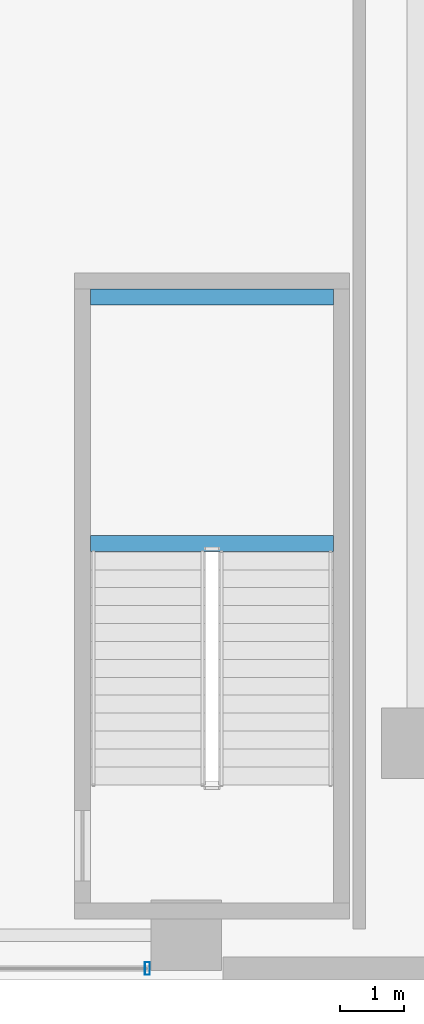
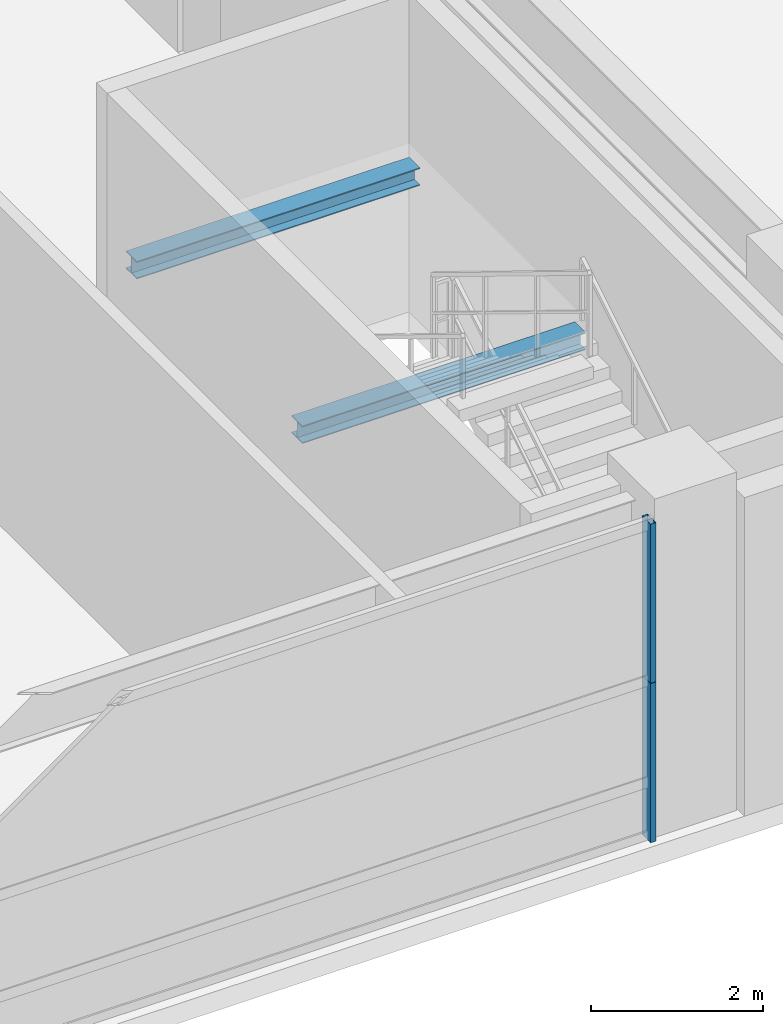
# One storey, part 15 of 39: 2 beams, 2 members, 1 element without a shape of its own.
"""IFC4 building model written with IfcOpenShell, lengths in metres."""

from ifc_helpers import new_model, si_unit, direction, frame, origin, origin_2d, place, context, subcontext, project, spatial, hollow_rectangle, i_section, extrude, source, transform, mapped, material, layer, layer_set, material_profile, profile_set, type_object, element, aggregate, save


model = new_model("IFC4")

# Units and contexts
model_context = context("Model", 3, precision=1e-05, world=origin(), true_north=direction((0.0, 1.0)))
body_context = subcontext(model_context, "Body", "Model", "MODEL_VIEW")
ifc_project = project(units=[si_unit("LENGTHUNIT", "METRE"), si_unit("AREAUNIT", "SQUARE_METRE"), si_unit("VOLUMEUNIT", "CUBIC_METRE"), si_unit("PLANEANGLEUNIT", "RADIAN"), si_unit("MASSUNIT", "GRAM", prefix="KILO"), si_unit("THERMODYNAMICTEMPERATUREUNIT", "KELVIN"), si_unit("POWERUNIT", "WATT")], contexts=[model_context])

# Site, building, storey
site_placement = place(None, origin())
site = spatial("IfcSite", under=ifc_project, at=site_placement, CompositionType="ELEMENT")
building_placement = place(site_placement, origin())
building = spatial("IfcBuilding", under=site, at=building_placement, Name="Yuzanri Waterfront Tower", CompositionType="ELEMENT")
storey_placement = place(building_placement, frame((0.0, 0.0, 15.0)))
storey = spatial("IfcBuildingStorey", under=building, at=storey_placement, Name="L04", CompositionType="ELEMENT", Elevation=15.0)

# Curtain wall, members
ifc_material_1 = material(Name="Anodized Architectural Bronze", Category="metal")
ifc_layer = layer(ifc_material_1, 0.159912109375)
ifc_layer_set = layer_set([ifc_layer], Name="Anodized Architectural Bronze")
curtain_wall_type = type_object("IfcCurtainWallType", Name="Anodized Bronze Podium Waterfront Double-Height Unitized Curtain Wall 8400", PredefinedType="NOTDEFINED", material=ifc_layer_set)
curtain_wall_placement = place(storey_placement, origin())
curtain_wall = element("IfcCurtainWall", 1, at=curtain_wall_placement, inside=storey, type_object=curtain_wall_type, Name="L04 Curtain Wall CW-L04-S2", PredefinedType="NOTDEFINED")
ifc_material_2 = material(Name="Anodized Architectural Bronze", Category="metal")
ifc_material_profile_1 = material_profile(ifc_material_2, hollow_rectangle(XDim=0.074951171875, YDim=0.199951171875, WallThickness=0.00390625, at=origin_2d()), Name="CWM 75x200")
ifc_profile_set_1 = profile_set([ifc_material_profile_1], Name="Anodized Architectural Bronze")
member_type = type_object("IfcMemberType", Name="Anodized Bronze Primary Curtain-Wall Mullion 75x200", PredefinedType="MULLION", material=ifc_profile_set_1)
shared_shape_1 = source(origin(), body_context, "Body", "SweptSolid", [
    extrude(hollow_rectangle(XDim=0.074951171875, YDim=0.199951171875, WallThickness=0.00390625, at=origin_2d()), origin(), (0.0, 0.0, 1.0), 2.258056640625),
])
member_1_placement = place(storey_placement, frame((57.889892578125, 1.97998046875, 0.0), z_axis=(0.0, 0.0, 1.0), x_axis=(1.0, 0.0, 0.0)))
member_1 = element("IfcMember", 2, at=member_1_placement, type_object=member_type, Name="CW-L04-S2 Lower Mullion 02", PredefinedType="MULLION", context=body_context, shape_type="MappedRepresentation", body=[
    mapped(shared_shape_1, transform((0.0, 0.0, 0.0), scale=1.0)),
])
member_2_placement = place(storey_placement, frame((57.889892578125, 1.97998046875, 2.261962890625), z_axis=(0.0, 0.0, 1.0), x_axis=(1.0, 0.0, 0.0)))
member_2 = element("IfcMember", 3, at=member_2_placement, type_object=member_type, Name="CW-L04-S2 Upper Mullion 02", PredefinedType="MULLION", context=body_context, shape_type="MappedRepresentation", body=[
    mapped(shared_shape_1, transform((0.0, 0.0, 0.0), scale=1.0)),
])
aggregate(curtain_wall, [member_1, member_2])

# Beams
ifc_material_3 = material(Name="Steel Q355B", Category="steel")
ifc_material_profile_2 = material_profile(ifc_material_3, i_section(OverallWidth=0.25, OverallDepth=0.25, WebThickness=0.009033203125, FlangeThickness=0.013916015625, at=origin_2d()), Name="HW 250x250x9x14")
ifc_profile_set_2 = profile_set([ifc_material_profile_2], Name="Steel Q355B")
beam_type = type_object("IfcBeamType", Name="Stair Landing Support Beam Q355B HW 250x250", PredefinedType="BEAM", material=ifc_profile_set_2)
shared_shape_2 = source(origin(), body_context, "Body", "SweptSolid", [
    extrude(i_section(OverallWidth=0.25, OverallDepth=0.25, WebThickness=0.009033203125, FlangeThickness=0.013916015625, at=origin_2d()), origin(), (0.0, 0.0, 1.0), 3.800048828125),
])
for number, where, z_axis, x_axis, name in (
    (4, (57.0, 8.6201171875, 2.074951171875), (1.0, 0.0, 0.0), (0.0, 1.0, 0.0), "L04 Stair Landing Support Beam PST-02-L04-L1-1"),
    (5, (57.0, 12.469970703125, 2.074951171875), (1.0, 0.0, 0.0), (0.0, 1.0, 0.0), "L04 Stair Landing Support Beam PST-02-L04-L1-2"),
):
    element("IfcBeam", number, at=place(storey_placement, frame(where, z_axis=z_axis, x_axis=x_axis)), inside=storey, type_object=beam_type, Name=name, PredefinedType="BEAM", context=body_context, shape_type="MappedRepresentation", body=[
        mapped(shared_shape_2, transform((0.0, 0.0, 0.0), scale=1.0)),
    ])

save(model, "model.ifc")
